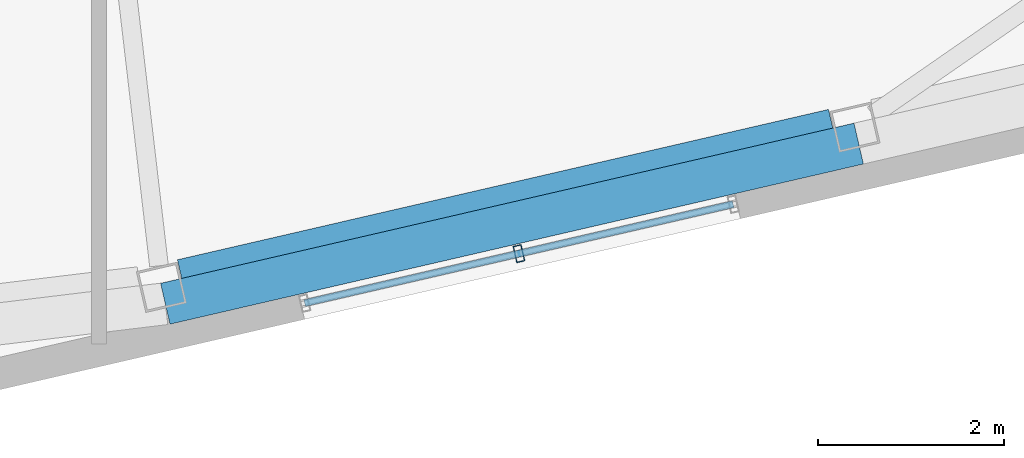
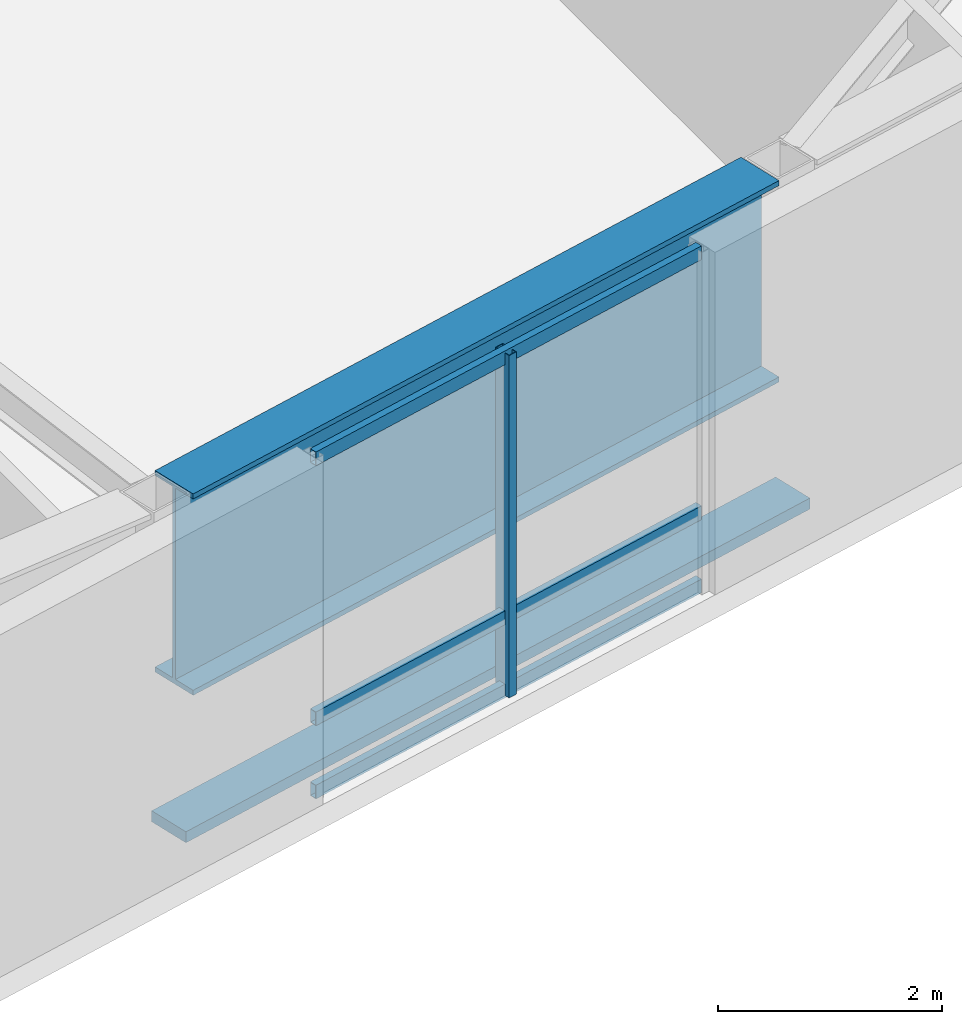
# One storey, part 8 of 23: 5 members, 1 beam, 1 element without a shape of its own.
"""IFC4 building model written with IfcOpenShell, lengths in metres."""

import ifcopenshell
import ifcopenshell.guid

model = None  # the IFC model being written
_history = None  # IfcOwnerHistory: only IFC2X3 demands one
_inside = {}  # id of a spatial element -> (the spatial element, [elements in it])
_under = {}  # id of a project, library or spatial element -> (it, [spatial elements below it])
_declared = {}  # id of a project -> (the project, [libraries it declares])
_typed = {}  # id of a type object -> (the type object, [elements of that type])
_made_of = {}  # id of a material, layer set ... -> (it, [elements and type objects made of it])


def new_model(schema):
    """Start an empty IFC model of exactly this schema.

    Asked for "IFC4X3", IfcOpenShell would pick the latest addendum, in which some entities
    have other attributes; the version numbers below select the first issue.
    IFC2X3 requires an IfcOwnerHistory on every rooted entity: one is made here for all.
    """
    global model, _history
    if schema == "IFC4X3":
        model = ifcopenshell.file(schema_version=(4, 3, 0, 0))
    else:
        model = ifcopenshell.file(schema=schema)
    _inside.clear()
    _under.clear()
    _declared.clear()
    _typed.clear()
    _made_of.clear()
    _history = None
    if model.schema == "IFC2X3":
        org = make("IfcOrganization", Name="unknown")
        user = make(
            "IfcPersonAndOrganization",
            ThePerson=make("IfcPerson", FamilyName="unknown"),
            TheOrganization=org,
        )
        app = make(
            "IfcApplication",
            ApplicationDeveloper=org,
            Version="unknown",
            ApplicationFullName="unknown",
            ApplicationIdentifier="unknown",
        )
        _history = make(
            "IfcOwnerHistory",
            OwningUser=user,
            OwningApplication=app,
            ChangeAction="ADDED",
            CreationDate=0,
        )
    return model


def make(cls, **values):
    """One entity of the class cls with the attributes given. An attribute that is None is left unset."""
    return model.create_entity(
        cls, **{name: value for name, value in values.items() if value is not None}
    )


def rooted(cls, **values):
    """An entity with a GlobalId (a new one), such as an element, a storey or a relation."""
    return make(cls, GlobalId=ifcopenshell.guid.new(), OwnerHistory=_history, **values)


def si_unit(unit_type, name, prefix=None):
    """IfcSIUnit, for example si_unit("LENGTHUNIT", "METRE", prefix="MILLI")."""
    return make("IfcSIUnit", UnitType=unit_type, Prefix=prefix, Name=name)


def assignment(units):
    """IfcUnitAssignment: the units of a project."""
    return None if units is None else make("IfcUnitAssignment", Units=units)


def point(xyz):
    """IfcCartesianPoint."""
    return None if xyz is None else make("IfcCartesianPoint", Coordinates=xyz)


def direction(xyz):
    """IfcDirection."""
    return None if xyz is None else make("IfcDirection", DirectionRatios=xyz)


def frame(location, z_axis=None, x_axis=None):
    """IfcAxis2Placement3D, a coordinate frame: its origin and axes. An axis left out is left unset."""
    return make(
        "IfcAxis2Placement3D",
        Location=point(location),
        Axis=direction(z_axis),
        RefDirection=direction(x_axis),
    )


def frame_2d(location, x_axis=None):
    """IfcAxis2Placement2D, a coordinate frame in the plane: its origin and x axis."""
    return make(
        "IfcAxis2Placement2D", Location=point(location), RefDirection=direction(x_axis)
    )


def origin():
    """The frame at (0, 0, 0) with its axes left unset."""
    return frame((0.0, 0.0, 0.0))


def origin_2d():
    """The frame at (0, 0) in the plane with its x axis left unset."""
    return frame_2d((0.0, 0.0))


def place(relative_to, where):
    """IfcLocalPlacement: puts the frame where relative to a parent placement (None: the world)."""
    return make(
        "IfcLocalPlacement", PlacementRelTo=relative_to, RelativePlacement=where
    )


def context(
    kind, dimensions, precision=None, world=None, true_north=None, identifier=None
):
    """IfcGeometricRepresentationContext, for example the 3D "Model" context."""
    return make(
        "IfcGeometricRepresentationContext",
        ContextIdentifier=identifier,
        ContextType=kind,
        CoordinateSpaceDimension=dimensions,
        Precision=precision,
        WorldCoordinateSystem=world,
        TrueNorth=true_north,
    )


def subcontext(parent, identifier, kind, view, scale=None):
    """IfcGeometricRepresentationSubContext, for example "Body" below "Model"."""
    return make(
        "IfcGeometricRepresentationSubContext",
        ContextIdentifier=identifier,
        ContextType=kind,
        ParentContext=parent,
        TargetScale=scale,
        TargetView=view,
    )


def project(units=None, contexts=None):
    """IfcProject with its units and contexts."""
    return rooted(
        "IfcProject",
        Name="project",
        RepresentationContexts=contexts,
        UnitsInContext=assignment(units),
    )


def spatial(cls, under=None, at=None, **own):
    """A site, building, storey or space (cls), placed at a placement, below another one or the project."""
    s = rooted(cls, ObjectPlacement=at, **own)
    if under is not None:
        _under.setdefault(under.id(), (under, []))[1].append(s)
    return s


def profile(cls, at=None, kind="AREA", **sizes):
    """A parametric profile (cls). Its sizes go by their IFC names, for example OverallWidth=200.0."""
    return make(cls, ProfileType=kind, Position=at, **sizes)


def rectangle(**sizes):
    """IfcRectangleProfileDef."""
    return profile("IfcRectangleProfileDef", **sizes)


def hollow_rectangle(**sizes):
    """IfcRectangleHollowProfileDef."""
    return profile("IfcRectangleHollowProfileDef", **sizes)


def i_section(**sizes):
    """IfcIShapeProfileDef."""
    return profile("IfcIShapeProfileDef", **sizes)


def extrude(swept, where, along, depth):
    """IfcExtrudedAreaSolid: the profile swept, set in the frame where, extruded along a direction by depth."""
    return make(
        "IfcExtrudedAreaSolid",
        SweptArea=swept,
        Position=where,
        ExtrudedDirection=direction(along),
        Depth=depth,
    )


def shape(context_of_items, identifier, shape_type, items):
    """IfcShapeRepresentation: the items that make up one representation, for example the "Body"."""
    return make(
        "IfcShapeRepresentation",
        ContextOfItems=context_of_items,
        RepresentationIdentifier=identifier,
        RepresentationType=shape_type,
        Items=items,
    )


def material(Name=None, Category=None):
    """IfcMaterial."""
    return make("IfcMaterial", Name=Name, Category=Category)


def layer(
    of_material, thickness, ventilated=None, Name=None, Category=None, Priority=None
):
    """IfcMaterialLayer: one layer of a wall or slab, of a material (None: an air gap)."""
    return make(
        "IfcMaterialLayer",
        Material=of_material,
        LayerThickness=thickness,
        IsVentilated=ventilated,
        Name=Name,
        Category=Category,
        Priority=Priority,
    )


def layer_set(layers, Name=None):
    """IfcMaterialLayerSet."""
    return make("IfcMaterialLayerSet", MaterialLayers=layers, LayerSetName=Name)


def material_profile(
    of_material, cross_section, Name=None, Category=None, Priority=None
):
    """IfcMaterialProfile: a cross section and its material."""
    return make(
        "IfcMaterialProfile",
        Name=Name,
        Material=of_material,
        Profile=cross_section,
        Priority=Priority,
        Category=Category,
    )


def profile_set(profiles, Name=None, composite=None):
    """IfcMaterialProfileSet."""
    return make(
        "IfcMaterialProfileSet",
        Name=Name,
        MaterialProfiles=profiles,
        CompositeProfile=composite,
    )


def made_of(thing, what):
    """Note that an element or type object is made of a material, layer set ...; save() writes the relation."""
    if what is not None:
        _made_of.setdefault(what.id(), (what, []))[1].append(thing)
    return thing


def type_object(cls, material=None, **own):
    """A type object (cls), such as IfcWallType, which elements share."""
    return made_of(rooted(cls, **own), material)


def element(
    cls,
    number,
    at=None,
    inside=None,
    cuts=None,
    type_object=None,
    material=None,
    context=None,
    identifier="Body",
    shape_type=None,
    held_by="IfcProductDefinitionShape",
    body=None,
    shapes=None,
    **own,
):
    """One element of the class cls, such as IfcWall. Its Tag is "e" and its number.

    at: its placement. inside: the storey or other place that contains it. cuts: it is an
    opening in that element (IfcRelVoidsElement). A single representation is given by context,
    identifier, shape_type and body (its items); several are given by shapes. held_by: the class
    of the entity that holds the representations. save() writes the other relations.
    """
    e = rooted(cls, Tag="e%d" % number, ObjectPlacement=at, **own)
    if body is not None:
        shapes = [shape(context, identifier, shape_type, body)]
    if shapes is not None:
        e.Representation = make(held_by, Representations=shapes)
    if inside is not None:
        _inside.setdefault(inside.id(), (inside, []))[1].append(e)
    if cuts is not None:
        rooted(
            "IfcRelVoidsElement", RelatingBuildingElement=cuts, RelatedOpeningElement=e
        )
    if type_object is not None:
        _typed.setdefault(type_object.id(), (type_object, []))[1].append(e)
    return made_of(e, material)


def aggregate(whole, parts):
    """IfcRelAggregates: a whole, such as a stair, and the parts it consists of."""
    return rooted("IfcRelAggregates", RelatingObject=whole, RelatedObjects=parts)


def save(model, path):
    """Write the relations noted so far, then the file.

    IfcRelAggregates (storeys below a building ...), IfcRelContainedInSpatialStructure (elements
    in a storey), IfcRelDefinesByType, IfcRelAssociatesMaterial and IfcRelDeclares: one each for
    every whole, place, type object, material and project.
    """
    for whole, parts in _under.values():
        aggregate(whole, parts)
    for where, things in _inside.values():
        rooted(
            "IfcRelContainedInSpatialStructure",
            RelatedElements=things,
            RelatingStructure=where,
        )
    for kind, things in _typed.values():
        rooted("IfcRelDefinesByType", RelatedObjects=things, RelatingType=kind)
    for what, things in _made_of.values():
        rooted("IfcRelAssociatesMaterial", RelatedObjects=things, RelatingMaterial=what)
    for by, libraries in _declared.values():
        rooted("IfcRelDeclares", RelatingContext=by, RelatedDefinitions=libraries)
    model.write(path)


model = new_model("IFC4")

# Units and contexts
model_context = context("Model", 3, precision=1e-05, world=origin(), true_north=direction((0.0, 1.0)))
body_context = subcontext(model_context, "Body", "Model", "MODEL_VIEW")
ifc_project = project(units=[si_unit("LENGTHUNIT", "METRE"), si_unit("AREAUNIT", "SQUARE_METRE"), si_unit("VOLUMEUNIT", "CUBIC_METRE"), si_unit("PLANEANGLEUNIT", "RADIAN"), si_unit("MASSUNIT", "GRAM", prefix="KILO")], contexts=[model_context])

# Site, building, storey
site_placement = place(None, origin())
site = spatial("IfcSite", under=ifc_project, at=site_placement, CompositionType="ELEMENT")
building_placement = place(site_placement, origin())
building = spatial("IfcBuilding", under=site, at=building_placement, Name="Tavrogorsk Clinical Tower", CompositionType="ELEMENT")
storey_placement = place(building_placement, frame((0.0, 0.0, 305.0)))
storey = spatial("IfcBuildingStorey", under=building, at=storey_placement, Name="L71", CompositionType="ELEMENT", Elevation=305.0)

# Member
ifc_material_1 = material(Name="Anodised aluminium alloy AW-6063", Category="aluminium")
ifc_material_profile_1 = material_profile(ifc_material_1, rectangle(XDim=0.449951171875, YDim=0.1201171875, at=origin_2d()), Name="ALU-SUNSHADE-450x120")
ifc_profile_set_1 = profile_set([ifc_material_profile_1], Name="Anodised aluminium alloy AW-6063")
member_type_1 = type_object("IfcMemberType", Name="ChicagoSunshade_450x120", PredefinedType="USERDEFINED", material=ifc_profile_set_1)
member_1_placement = place(storey_placement, frame((6.313232421875, -22.572509765625, 0.179931640625), z_axis=(0.97436370007, 0.224978621176, 0.0), x_axis=(-0.224978621176, 0.97436370007, 0.0)))
element("IfcMember", 1, at=member_1_placement, inside=storey, type_object=member_type_1, Name="L71 South Aluminium Sunshade S5", ObjectType="SUNSHADE", PredefinedType="USERDEFINED", context=body_context, shape_type="SweptSolid", body=[
    extrude(rectangle(XDim=0.449951171875, YDim=0.1201171875, at=origin_2d()), origin(), (0.0, 0.0, 1.0), 7.63427734375),
])

# Curtain wall, members
ifc_material_2 = material(Name="Anodised aluminium and triple IGU glazing", Category="aluminium")
ifc_layer = layer(ifc_material_2, 0.179931640625)
ifc_layer_set = layer_set([ifc_layer], Name="Anodised aluminium and triple IGU glazing")
curtain_wall_type = type_object("IfcCurtainWallType", Name="CW3_SouthSlot", PredefinedType="NOTDEFINED", material=ifc_layer_set)
curtain_wall_placement = place(storey_placement, origin())
curtain_wall = element("IfcCurtainWall", 2, at=curtain_wall_placement, inside=storey, type_object=curtain_wall_type, Name="L71 Curtain Wall CW-L71-S-SLOT-2", PredefinedType="NOTDEFINED")
ifc_material_3 = material(Name="Anodised aluminium alloy AW-6060", Category="aluminium")
ifc_material_profile_2 = material_profile(ifc_material_3, hollow_rectangle(XDim=0.090087890625, YDim=0.179931640625, WallThickness=0.00634765625, at=origin_2d()), Name="RHS-180x90x6.3")
ifc_profile_set_2 = profile_set([ifc_material_profile_2], Name="Anodised aluminium alloy AW-6060")
member_type_2 = type_object("IfcMemberType", Name="CwMullion_180x90", PredefinedType="MULLION", material=ifc_profile_set_2)
member_2_placement = place(storey_placement, frame((10.106689453125, -22.03515625, 0.0), z_axis=(0.0, 0.0, 1.0), x_axis=(0.974370057377, 0.224951086434, 0.0)))
member_2 = element("IfcMember", 3, at=member_2_placement, type_object=member_type_2, Name="CW-L71-S-SLOT-2 Mullion 2", PredefinedType="MULLION", context=body_context, shape_type="SweptSolid", body=[
    extrude(hollow_rectangle(XDim=0.090087890625, YDim=0.179931640625, WallThickness=0.00634765625, at=origin_2d()), origin(), (0.0, 0.0, 1.0), 3.739990234375),
])
ifc_material_4 = material(Name="Anodised aluminium alloy AW-6060", Category="aluminium")
ifc_material_profile_3 = material_profile(ifc_material_4, hollow_rectangle(XDim=0.074951171875, YDim=0.14990234375, WallThickness=0.0048828125, at=origin_2d()), Name="RHS-150x75x5")
ifc_profile_set_3 = profile_set([ifc_material_profile_3], Name="Anodised aluminium alloy AW-6060")
member_type_3 = type_object("IfcMemberType", Name="CwTransom_150x75", PredefinedType="USERDEFINED", material=ifc_profile_set_3)
member_3_placement = place(storey_placement, frame((7.80810546875, -22.56591796875, 0.050048828125), z_axis=(0.974372877948, 0.22493886885, 0.0), x_axis=(-0.22493886885, 0.974372877948, 0.0)))
member_3 = element("IfcMember", 4, at=member_3_placement, type_object=member_type_3, Name="CW-L71-S-SLOT-2 Transom 1", ObjectType="TRANSOM", PredefinedType="USERDEFINED", context=body_context, shape_type="SweptSolid", body=[
    extrude(hollow_rectangle(XDim=0.074951171875, YDim=0.14990234375, WallThickness=0.0048828125, at=origin_2d()), origin(), (0.0, 0.0, 1.0), 4.718017578125),
])
member_4_placement = place(storey_placement, frame((7.80810546875, -22.56591796875, 0.85009765625), z_axis=(0.974372877948, 0.22493886885, 0.0), x_axis=(-0.22493886885, 0.974372877948, 0.0)))
member_4 = element("IfcMember", 5, at=member_4_placement, type_object=member_type_3, Name="CW-L71-S-SLOT-2 Transom 2", ObjectType="TRANSOM", PredefinedType="USERDEFINED", context=body_context, shape_type="SweptSolid", body=[
    extrude(hollow_rectangle(XDim=0.074951171875, YDim=0.14990234375, WallThickness=0.0048828125, at=origin_2d()), origin(), (0.0, 0.0, 1.0), 4.718017578125),
])
member_5_placement = place(storey_placement, frame((7.80810546875, -22.56591796875, 3.68994140625), z_axis=(0.974372877948, 0.22493886885, 0.0), x_axis=(-0.22493886885, 0.974372877948, 0.0)))
member_5 = element("IfcMember", 6, at=member_5_placement, type_object=member_type_3, Name="CW-L71-S-SLOT-2 Transom 3", ObjectType="TRANSOM", PredefinedType="USERDEFINED", context=body_context, shape_type="SweptSolid", body=[
    extrude(hollow_rectangle(XDim=0.074951171875, YDim=0.14990234375, WallThickness=0.0048828125, at=origin_2d()), origin(), (0.0, 0.0, 1.0), 4.718017578125),
])
aggregate(curtain_wall, [member_2, member_3, member_4, member_5])

# Beam
ifc_material_5 = material(Name="Structural steel S440", Category="steel")
ifc_material_profile_4 = material_profile(ifc_material_5, i_section(OverallWidth=0.5, OverallDepth=2.199951171875, WebThickness=0.035888671875, FlangeThickness=0.054931640625, at=origin_2d()), Name="DK-2200x500x36x55")
ifc_profile_set_4 = profile_set([ifc_material_profile_4], Name="Structural steel S440")
beam_type = type_object("IfcBeamType", Name="TransferGirder_DK2200", PredefinedType="USERDEFINED", material=ifc_profile_set_4)
beam_placement = place(storey_placement, frame((6.499755859375, -22.344482421875, 2.639892578125), z_axis=(0.974369378592, 0.224954026551, 0.0), x_axis=(-0.224954026551, 0.974369378592, 0.0)))
element("IfcBeam", 7, at=beam_placement, inside=storey, type_object=beam_type, Name="L71 Perimeter Spandrel S5-S6", ObjectType="GIRDER", PredefinedType="USERDEFINED", context=body_context, shape_type="SweptSolid", body=[
    extrude(i_section(OverallWidth=0.5, OverallDepth=2.199951171875, WebThickness=0.035888671875, FlangeThickness=0.054931640625, at=origin_2d()), origin(), (0.0, 0.0, 1.0), 7.16845703125),
])

save(model, "model.ifc")
